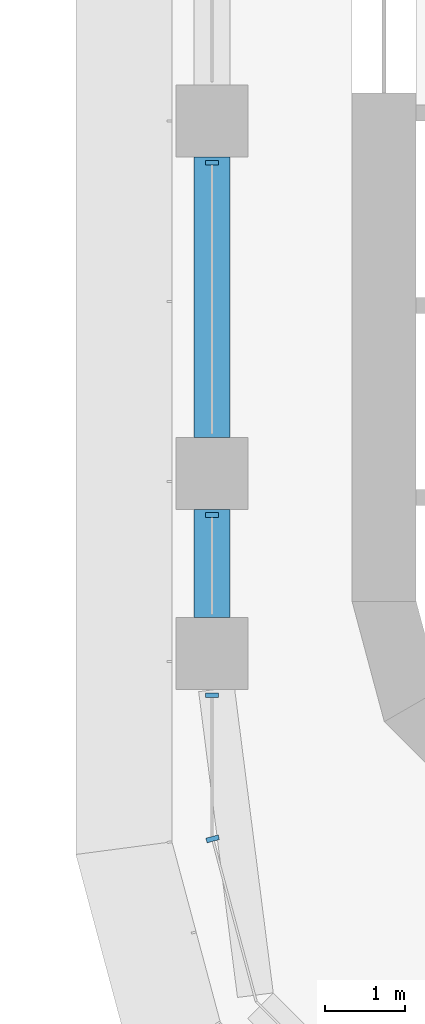
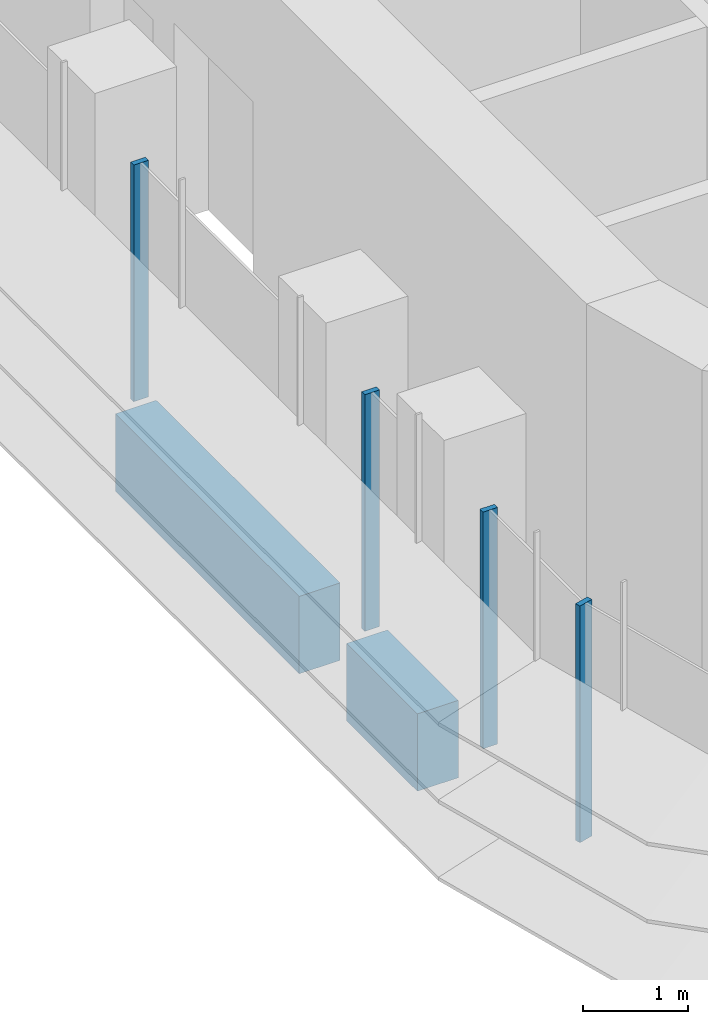
# One storey, part 2 of 23: 4 members, 2 beams, 2 elements without a shape of their own.
"""IFC4 building model written with IfcOpenShell, lengths in metres."""

from ifc_helpers import new_model, si_unit, direction, frame, origin, origin_2d, place, context, subcontext, project, spatial, polyline, rectangle, outline, extrude, source, transform, mapped, material, material_profile, profile_set, type_object, element, aggregate, save


model = new_model("IFC4")

# Units and contexts
model_context = context("Model", 3, precision=1e-05, world=origin(), true_north=direction((0.0, 1.0)))
body_context = subcontext(model_context, "Body", "Model", "MODEL_VIEW")
ifc_project = project(units=[si_unit("LENGTHUNIT", "METRE"), si_unit("AREAUNIT", "SQUARE_METRE"), si_unit("VOLUMEUNIT", "CUBIC_METRE"), si_unit("PLANEANGLEUNIT", "RADIAN"), si_unit("MASSUNIT", "GRAM", prefix="KILO")], contexts=[model_context])

# Site, building, storey
site_placement = place(None, origin())
site = spatial("IfcSite", under=ifc_project, at=site_placement, CompositionType="ELEMENT")
building_placement = place(site_placement, origin())
building = spatial("IfcBuilding", under=site, at=building_placement, Name="Zarbagh Exchange Tower", CompositionType="ELEMENT")
storey_placement = place(building_placement, frame((0.0, 0.0, 90.39990234375)))
storey = spatial("IfcBuildingStorey", under=building, at=storey_placement, Name="L20", CompositionType="ELEMENT", Elevation=90.39990234375)

# Beams
ifc_material_1 = material(Name="Concrete C60/75", Category="concrete")
ifc_material_profile = material_profile(ifc_material_1, rectangle(XDim=0.449951171875, YDim=0.89990234375, at=origin_2d()), Name="RC spandrel beam 450 x 900 C60/75")
ifc_profile_set = profile_set([ifc_material_profile], Name="Concrete C60/75")
beam_type = type_object("IfcBeamType", Name="RC spandrel beam 450 x 900 C60/75", PredefinedType="SPANDREL", material=ifc_profile_set)
beam_1_placement = place(storey_placement, frame((-6.25, -26.449951171875, -0.599853515625), z_axis=(0.0, 1.0, 0.0), x_axis=(-1.0, 0.0, 0.0)))
element("IfcBeam", 1, at=beam_1_placement, inside=storey, type_object=beam_type, Name="RC spandrel beam", PredefinedType="SPANDREL", context=body_context, shape_type="SweptSolid", body=[
    extrude(rectangle(XDim=0.449951171875, YDim=0.89990234375, at=origin_2d()), origin(), (0.0, 0.0, 1.0), 1.349853515625),
])
beam_2_placement = place(storey_placement, frame((-6.25, -24.199951171875, -0.599853515625), z_axis=(0.0, 1.0, 0.0), x_axis=(-1.0, 0.0, 0.0)))
element("IfcBeam", 2, at=beam_2_placement, inside=storey, type_object=beam_type, Name="RC spandrel beam", PredefinedType="SPANDREL", context=body_context, shape_type="SweptSolid", body=[
    extrude(rectangle(XDim=0.449951171875, YDim=0.89990234375, at=origin_2d()), origin(), (0.0, 0.0, 1.0), 3.5),
])

# Curtain wall, members
ifc_material_2 = material(Name="Anodised aluminium frame and glazing", Category="aluminium")
curtain_wall_type = type_object("IfcCurtainWallType", Name="CWA Ribbon glazing, lower zones", PredefinedType="NOTDEFINED", material=ifc_material_2)
curtain_wall_1_placement = place(storey_placement, origin())
curtain_wall_1 = element("IfcCurtainWall", 3, at=curtain_wall_1_placement, inside=storey, type_object=curtain_wall_type, Name="CWA44 curtain wall", PredefinedType="NOTDEFINED")
ifc_material_3 = material(Name="Anodised aluminium frame", Category="aluminium")
member_type = type_object("IfcMemberType", Name="MUA Mullion, anodised aluminium frame", PredefinedType="MULLION", material=ifc_material_3)
shared_shape = source(origin(), body_context, "Body", "SweptSolid", [
    extrude(outline(polyline([(0.0, -0.080078125), (0.06005859375, -0.080078125), (0.06005859375, 0.080078125), (0.0, 0.080078125), (0.0, -0.080078125)])), origin(), (0.0, 0.0, 1.0), 2.75),
])
placement = place(storey_placement, origin())
member_1 = element("IfcMember", 4, at=placement, type_object=member_type, Name="CWA44 mullion 3.1", PredefinedType="MULLION", context=body_context, shape_type="MappedRepresentation", body=[
    mapped(shared_shape, transform((-6.25, -20.739990234375, 0.0), x_axis=(0.0, -1.0, 0.0), y_axis=(1.0, 0.0, 0.0), z_axis=(0.0, 0.0, 1.0))),
])
member_2 = element("IfcMember", 5, at=placement, type_object=member_type, Name="CWA44 mullion 4.1", PredefinedType="MULLION", context=body_context, shape_type="MappedRepresentation", body=[
    mapped(shared_shape, transform((-6.25, -25.14013671875, 0.0), x_axis=(0.0, -1.0, 0.0), y_axis=(1.0, 0.0, 0.0), z_axis=(0.0, 0.0, 1.0))),
])
member_3 = element("IfcMember", 6, at=placement, type_object=member_type, Name="CWA44 mullion 5.1", PredefinedType="MULLION", context=body_context, shape_type="MappedRepresentation", body=[
    mapped(shared_shape, transform((-6.25, -27.39013671875, 0.0), x_axis=(0.0, -1.0, 0.0), y_axis=(1.0, 0.0, 0.0), z_axis=(0.0, 0.0, 1.0))),
])
aggregate(curtain_wall_1, [member_1, member_2, member_3])

# Curtain wall, member
curtain_wall_2_placement = place(storey_placement, origin())
curtain_wall_2 = element("IfcCurtainWall", 7, at=curtain_wall_2_placement, inside=storey, type_object=curtain_wall_type, Name="CWA45 curtain wall", PredefinedType="NOTDEFINED")
member_4 = element("IfcMember", 8, at=placement, type_object=member_type, Name="CWA45 mullion 1.1", PredefinedType="MULLION", context=body_context, shape_type="MappedRepresentation", body=[
    mapped(shared_shape, transform((-6.25, -29.18408203125, 0.0), x_axis=(0.258824779902, -0.965924289636, 0.0), y_axis=(0.965924289636, 0.258824779902, 0.0), z_axis=(0.0, 0.0, 1.0))),
])
aggregate(curtain_wall_2, [member_4])

save(model, "model.ifc")
